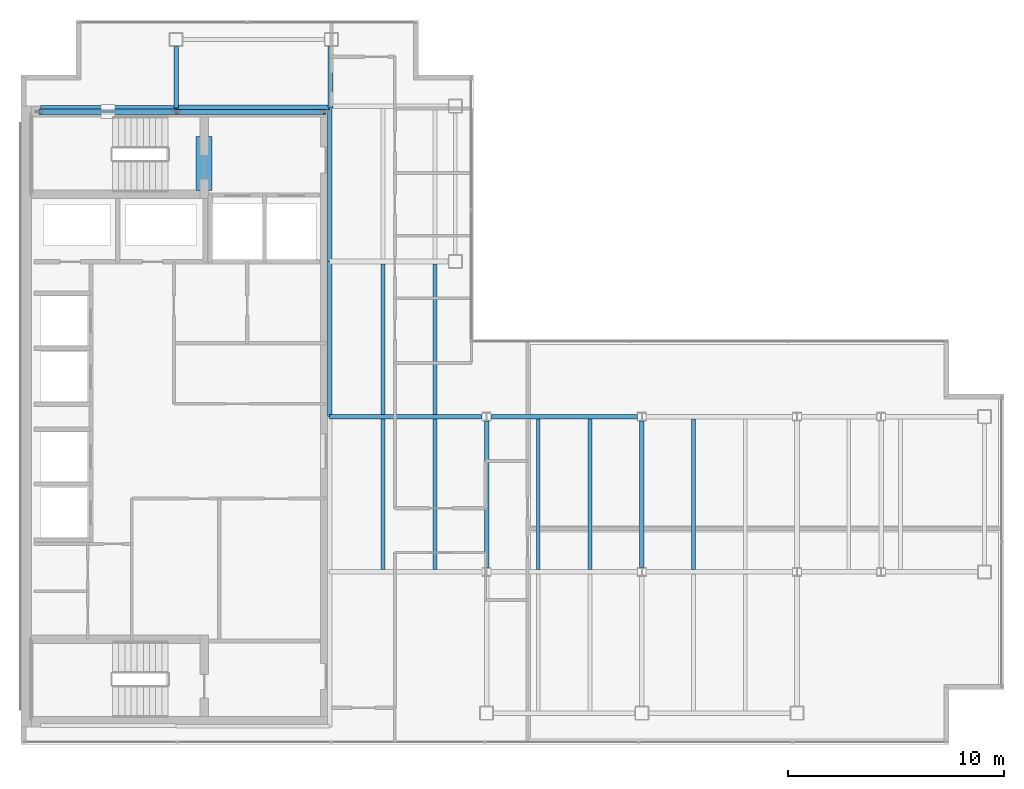
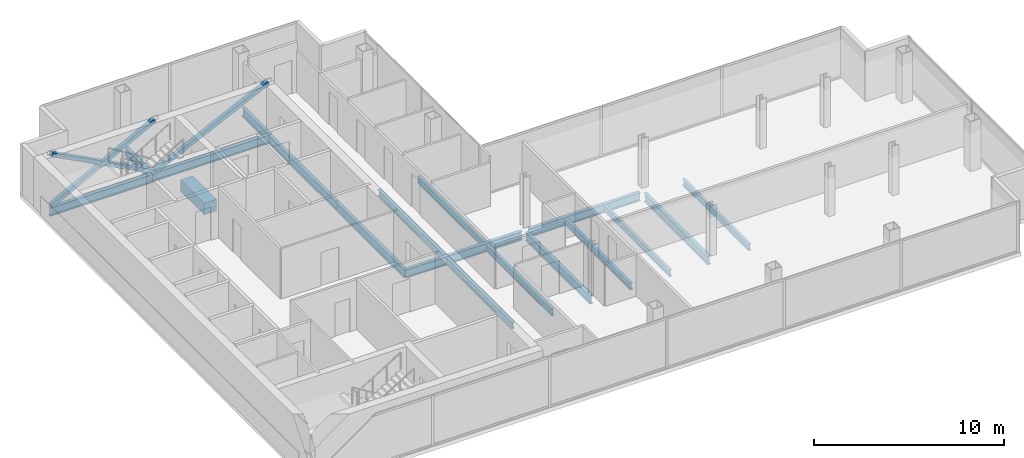
# One storey, part 7 of 23: 18 beams, 4 members.
"""IFC4 building model written with IfcOpenShell, lengths in metres."""

import ifcopenshell
import ifcopenshell.guid

model = None  # the IFC model being written
_history = None  # IfcOwnerHistory: only IFC2X3 demands one
_inside = {}  # id of a spatial element -> (the spatial element, [elements in it])
_under = {}  # id of a project, library or spatial element -> (it, [spatial elements below it])
_declared = {}  # id of a project -> (the project, [libraries it declares])
_typed = {}  # id of a type object -> (the type object, [elements of that type])
_made_of = {}  # id of a material, layer set ... -> (it, [elements and type objects made of it])


def new_model(schema):
    """Start an empty IFC model of exactly this schema.

    Asked for "IFC4X3", IfcOpenShell would pick the latest addendum, in which some entities
    have other attributes; the version numbers below select the first issue.
    IFC2X3 requires an IfcOwnerHistory on every rooted entity: one is made here for all.
    """
    global model, _history
    if schema == "IFC4X3":
        model = ifcopenshell.file(schema_version=(4, 3, 0, 0))
    else:
        model = ifcopenshell.file(schema=schema)
    _inside.clear()
    _under.clear()
    _declared.clear()
    _typed.clear()
    _made_of.clear()
    _history = None
    if model.schema == "IFC2X3":
        org = make("IfcOrganization", Name="unknown")
        user = make(
            "IfcPersonAndOrganization",
            ThePerson=make("IfcPerson", FamilyName="unknown"),
            TheOrganization=org,
        )
        app = make(
            "IfcApplication",
            ApplicationDeveloper=org,
            Version="unknown",
            ApplicationFullName="unknown",
            ApplicationIdentifier="unknown",
        )
        _history = make(
            "IfcOwnerHistory",
            OwningUser=user,
            OwningApplication=app,
            ChangeAction="ADDED",
            CreationDate=0,
        )
    return model


def make(cls, **values):
    """One entity of the class cls with the attributes given. An attribute that is None is left unset."""
    return model.create_entity(
        cls, **{name: value for name, value in values.items() if value is not None}
    )


def rooted(cls, **values):
    """An entity with a GlobalId (a new one), such as an element, a storey or a relation."""
    return make(cls, GlobalId=ifcopenshell.guid.new(), OwnerHistory=_history, **values)


def si_unit(unit_type, name, prefix=None):
    """IfcSIUnit, for example si_unit("LENGTHUNIT", "METRE", prefix="MILLI")."""
    return make("IfcSIUnit", UnitType=unit_type, Prefix=prefix, Name=name)


def assignment(units):
    """IfcUnitAssignment: the units of a project."""
    return None if units is None else make("IfcUnitAssignment", Units=units)


def point(xyz):
    """IfcCartesianPoint."""
    return None if xyz is None else make("IfcCartesianPoint", Coordinates=xyz)


def direction(xyz):
    """IfcDirection."""
    return None if xyz is None else make("IfcDirection", DirectionRatios=xyz)


def frame(location, z_axis=None, x_axis=None):
    """IfcAxis2Placement3D, a coordinate frame: its origin and axes. An axis left out is left unset."""
    return make(
        "IfcAxis2Placement3D",
        Location=point(location),
        Axis=direction(z_axis),
        RefDirection=direction(x_axis),
    )


def frame_2d(location, x_axis=None):
    """IfcAxis2Placement2D, a coordinate frame in the plane: its origin and x axis."""
    return make(
        "IfcAxis2Placement2D", Location=point(location), RefDirection=direction(x_axis)
    )


def origin():
    """The frame at (0, 0, 0) with its axes left unset."""
    return frame((0.0, 0.0, 0.0))


def origin_2d():
    """The frame at (0, 0) in the plane with its x axis left unset."""
    return frame_2d((0.0, 0.0))


def place(relative_to, where):
    """IfcLocalPlacement: puts the frame where relative to a parent placement (None: the world)."""
    return make(
        "IfcLocalPlacement", PlacementRelTo=relative_to, RelativePlacement=where
    )


def context(
    kind, dimensions, precision=None, world=None, true_north=None, identifier=None
):
    """IfcGeometricRepresentationContext, for example the 3D "Model" context."""
    return make(
        "IfcGeometricRepresentationContext",
        ContextIdentifier=identifier,
        ContextType=kind,
        CoordinateSpaceDimension=dimensions,
        Precision=precision,
        WorldCoordinateSystem=world,
        TrueNorth=true_north,
    )


def subcontext(parent, identifier, kind, view, scale=None):
    """IfcGeometricRepresentationSubContext, for example "Body" below "Model"."""
    return make(
        "IfcGeometricRepresentationSubContext",
        ContextIdentifier=identifier,
        ContextType=kind,
        ParentContext=parent,
        TargetScale=scale,
        TargetView=view,
    )


def project(units=None, contexts=None):
    """IfcProject with its units and contexts."""
    return rooted(
        "IfcProject",
        Name="project",
        RepresentationContexts=contexts,
        UnitsInContext=assignment(units),
    )


def spatial(cls, under=None, at=None, **own):
    """A site, building, storey or space (cls), placed at a placement, below another one or the project."""
    s = rooted(cls, ObjectPlacement=at, **own)
    if under is not None:
        _under.setdefault(under.id(), (under, []))[1].append(s)
    return s


def profile(cls, at=None, kind="AREA", **sizes):
    """A parametric profile (cls). Its sizes go by their IFC names, for example OverallWidth=200.0."""
    return make(cls, ProfileType=kind, Position=at, **sizes)


def rectangle(**sizes):
    """IfcRectangleProfileDef."""
    return profile("IfcRectangleProfileDef", **sizes)


def hollow_rectangle(**sizes):
    """IfcRectangleHollowProfileDef."""
    return profile("IfcRectangleHollowProfileDef", **sizes)


def i_section(**sizes):
    """IfcIShapeProfileDef."""
    return profile("IfcIShapeProfileDef", **sizes)


def extrude(swept, where, along, depth):
    """IfcExtrudedAreaSolid: the profile swept, set in the frame where, extruded along a direction by depth."""
    return make(
        "IfcExtrudedAreaSolid",
        SweptArea=swept,
        Position=where,
        ExtrudedDirection=direction(along),
        Depth=depth,
    )


def shape(context_of_items, identifier, shape_type, items):
    """IfcShapeRepresentation: the items that make up one representation, for example the "Body"."""
    return make(
        "IfcShapeRepresentation",
        ContextOfItems=context_of_items,
        RepresentationIdentifier=identifier,
        RepresentationType=shape_type,
        Items=items,
    )


def material(Name=None, Category=None):
    """IfcMaterial."""
    return make("IfcMaterial", Name=Name, Category=Category)


def material_profile(
    of_material, cross_section, Name=None, Category=None, Priority=None
):
    """IfcMaterialProfile: a cross section and its material."""
    return make(
        "IfcMaterialProfile",
        Name=Name,
        Material=of_material,
        Profile=cross_section,
        Priority=Priority,
        Category=Category,
    )


def profile_set(profiles, Name=None, composite=None):
    """IfcMaterialProfileSet."""
    return make(
        "IfcMaterialProfileSet",
        Name=Name,
        MaterialProfiles=profiles,
        CompositeProfile=composite,
    )


def made_of(thing, what):
    """Note that an element or type object is made of a material, layer set ...; save() writes the relation."""
    if what is not None:
        _made_of.setdefault(what.id(), (what, []))[1].append(thing)
    return thing


def type_object(cls, material=None, **own):
    """A type object (cls), such as IfcWallType, which elements share."""
    return made_of(rooted(cls, **own), material)


def element(
    cls,
    number,
    at=None,
    inside=None,
    cuts=None,
    type_object=None,
    material=None,
    context=None,
    identifier="Body",
    shape_type=None,
    held_by="IfcProductDefinitionShape",
    body=None,
    shapes=None,
    **own,
):
    """One element of the class cls, such as IfcWall. Its Tag is "e" and its number.

    at: its placement. inside: the storey or other place that contains it. cuts: it is an
    opening in that element (IfcRelVoidsElement). A single representation is given by context,
    identifier, shape_type and body (its items); several are given by shapes. held_by: the class
    of the entity that holds the representations. save() writes the other relations.
    """
    e = rooted(cls, Tag="e%d" % number, ObjectPlacement=at, **own)
    if body is not None:
        shapes = [shape(context, identifier, shape_type, body)]
    if shapes is not None:
        e.Representation = make(held_by, Representations=shapes)
    if inside is not None:
        _inside.setdefault(inside.id(), (inside, []))[1].append(e)
    if cuts is not None:
        rooted(
            "IfcRelVoidsElement", RelatingBuildingElement=cuts, RelatedOpeningElement=e
        )
    if type_object is not None:
        _typed.setdefault(type_object.id(), (type_object, []))[1].append(e)
    return made_of(e, material)


def aggregate(whole, parts):
    """IfcRelAggregates: a whole, such as a stair, and the parts it consists of."""
    return rooted("IfcRelAggregates", RelatingObject=whole, RelatedObjects=parts)


def save(model, path):
    """Write the relations noted so far, then the file.

    IfcRelAggregates (storeys below a building ...), IfcRelContainedInSpatialStructure (elements
    in a storey), IfcRelDefinesByType, IfcRelAssociatesMaterial and IfcRelDeclares: one each for
    every whole, place, type object, material and project.
    """
    for whole, parts in _under.values():
        aggregate(whole, parts)
    for where, things in _inside.values():
        rooted(
            "IfcRelContainedInSpatialStructure",
            RelatedElements=things,
            RelatingStructure=where,
        )
    for kind, things in _typed.values():
        rooted("IfcRelDefinesByType", RelatedObjects=things, RelatingType=kind)
    for what, things in _made_of.values():
        rooted("IfcRelAssociatesMaterial", RelatedObjects=things, RelatingMaterial=what)
    for by, libraries in _declared.values():
        rooted("IfcRelDeclares", RelatingContext=by, RelatedDefinitions=libraries)
    model.write(path)


model = new_model("IFC4")

# Units and contexts
model_context = context("Model", 3, precision=1e-05, world=origin(), true_north=direction((0.0, 1.0)))
body_context = subcontext(model_context, "Body", "Model", "MODEL_VIEW")
ifc_project = project(units=[si_unit("LENGTHUNIT", "METRE"), si_unit("AREAUNIT", "SQUARE_METRE"), si_unit("VOLUMEUNIT", "CUBIC_METRE"), si_unit("PLANEANGLEUNIT", "RADIAN"), si_unit("MASSUNIT", "GRAM", prefix="KILO")], contexts=[model_context])

# Site, building, storey
site_placement = place(None, origin())
site = spatial("IfcSite", under=ifc_project, at=site_placement, CompositionType="ELEMENT")
building_placement = place(site_placement, origin())
building = spatial("IfcBuilding", under=site, at=building_placement, Name="Cobrela Telecom Tower", CompositionType="ELEMENT")
storey_placement = place(building_placement, frame((0.0, 0.0, 251.64990234375)))
storey = spatial("IfcBuildingStorey", under=building, at=storey_placement, Name="L65", CompositionType="ELEMENT", Elevation=251.64990234375)

# Beams
ifc_material_1 = material(Name="Concrete C40/50", Category="concrete")
ifc_material_profile_1 = material_profile(ifc_material_1, rectangle(XDim=0.75, YDim=0.75, at=origin_2d()), Name="RC 750x750")
ifc_profile_set_1 = profile_set([ifc_material_profile_1], Name="Concrete C40/50")
beam_type_1 = type_object("IfcBeamType", Name="BM-COUP-RC", PredefinedType="LINTEL", material=ifc_profile_set_1)
beam_1_placement = place(storey_placement, frame((8.5, 32.10009765625, -0.60986328125), z_axis=(0.0, 1.0, 0.0), x_axis=(-1.0, 0.0, 0.0)))
element("IfcBeam", 1, at=beam_1_placement, inside=storey, type_object=beam_type_1, Name="L65 Core Coupling Lintel Beam", PredefinedType="LINTEL", context=body_context, shape_type="SweptSolid", body=[
    extrude(rectangle(XDim=0.75, YDim=0.75, at=origin_2d()), origin(), (0.0, 0.0, 1.0), 2.5),
])
ifc_material_2 = material(Name="Steel ASTM A992 Grade 50", Category="steel")
ifc_material_profile_2 = material_profile(ifc_material_2, i_section(OverallWidth=0.212890625, OverallDepth=0.549072265625, WebThickness=0.0146484375, FlangeThickness=0.023681640625, FilletRadius=0.013916015625, at=origin_2d()), Name="W21X93")
ifc_profile_set_2 = profile_set([ifc_material_profile_2], Name="Steel ASTM A992 Grade 50")
beam_type_2 = type_object("IfcBeamType", Name="BM-GIRD-08", PredefinedType="USERDEFINED", material=ifc_profile_set_2)
beam_2_placement = place(storey_placement, frame((14.324951171875, 21.60009765625, -0.534423828125), z_axis=(1.0, 0.0, 0.0), x_axis=(0.0, 1.0, 0.0)))
element("IfcBeam", 2, at=beam_2_placement, inside=storey, type_object=beam_type_2, Name="L65 Primary Girder X10", ObjectType="GIRDER", PredefinedType="USERDEFINED", context=body_context, shape_type="SweptSolid", body=[
    extrude(i_section(OverallWidth=0.212890625, OverallDepth=0.549072265625, WebThickness=0.0146484375, FlangeThickness=0.023681640625, FilletRadius=0.013916015625, at=origin_2d()), origin(), (0.0, 0.0, 1.0), 7.070556640625),
])
beam_3_placement = place(storey_placement, frame((21.804443359375, 21.60009765625, -0.534423828125), z_axis=(1.0, 0.0, 0.0), x_axis=(0.0, 1.0, 0.0)))
element("IfcBeam", 3, at=beam_3_placement, inside=storey, type_object=beam_type_2, Name="L65 Primary Girder X11", ObjectType="GIRDER", PredefinedType="USERDEFINED", context=body_context, shape_type="SweptSolid", body=[
    extrude(i_section(OverallWidth=0.212890625, OverallDepth=0.549072265625, WebThickness=0.0146484375, FlangeThickness=0.023681640625, FilletRadius=0.013916015625, at=origin_2d()), origin(), (0.0, 0.0, 1.0), 6.791015625),
])
beam_4_placement = place(storey_placement, frame((0.905029296875, 35.919921875, -0.534423828125), z_axis=(1.0, 0.0, 0.0), x_axis=(0.0, 1.0, 0.0)))
element("IfcBeam", 4, at=beam_4_placement, inside=storey, type_object=beam_type_2, Name="L65 Primary Girder X16", ObjectType="GIRDER", PredefinedType="USERDEFINED", context=body_context, shape_type="SweptSolid", body=[
    extrude(i_section(OverallWidth=0.212890625, OverallDepth=0.549072265625, WebThickness=0.0146484375, FlangeThickness=0.023681640625, FilletRadius=0.013916015625, at=origin_2d()), origin(), (0.0, 0.0, 1.0), 6.2900390625),
])
beam_5_placement = place(storey_placement, frame((7.205078125, 35.9599609375, -0.534423828125), z_axis=(1.0, 0.0, 0.0), x_axis=(0.0, 1.0, 0.0)))
element("IfcBeam", 5, at=beam_5_placement, inside=storey, type_object=beam_type_2, Name="L65 Primary Girder X17", ObjectType="GIRDER", PredefinedType="USERDEFINED", context=body_context, shape_type="SweptSolid", body=[
    extrude(i_section(OverallWidth=0.212890625, OverallDepth=0.549072265625, WebThickness=0.0146484375, FlangeThickness=0.023681640625, FilletRadius=0.013916015625, at=origin_2d()), origin(), (0.0, 0.0, 1.0), 7.10986328125),
])
beam_6_placement = place(storey_placement, frame((7.199951171875, 35.925048828125, -0.534423828125), z_axis=(0.0, 1.0, 0.0), x_axis=(-1.0, 0.0, 0.0)))
element("IfcBeam", 6, at=beam_6_placement, inside=storey, type_object=beam_type_2, Name="L65 Primary Girder Y20", ObjectType="GIRDER", PredefinedType="USERDEFINED", context=body_context, shape_type="SweptSolid", body=[
    extrude(i_section(OverallWidth=0.212890625, OverallDepth=0.549072265625, WebThickness=0.0146484375, FlangeThickness=0.023681640625, FilletRadius=0.013916015625, at=origin_2d()), origin(), (0.0, 0.0, 1.0), 2.844970703125),
])
beam_7_placement = place(storey_placement, frame((14.320068359375, 21.60498046875, -0.534423828125), z_axis=(0.0, 1.0, 0.0), x_axis=(-1.0, 0.0, 0.0)))
element("IfcBeam", 7, at=beam_7_placement, inside=storey, type_object=beam_type_2, Name="L65 Primary Girder Y23", ObjectType="GIRDER", PredefinedType="USERDEFINED", context=body_context, shape_type="SweptSolid", body=[
    extrude(i_section(OverallWidth=0.212890625, OverallDepth=0.549072265625, WebThickness=0.0146484375, FlangeThickness=0.023681640625, FilletRadius=0.013916015625, at=origin_2d()), origin(), (0.0, 0.0, 1.0), 7.18994140625),
])
beam_8_placement = place(storey_placement, frame((14.320068359375, 28.804931640625, -0.534423828125), z_axis=(0.0, 1.0, 0.0), x_axis=(-1.0, 0.0, 0.0)))
element("IfcBeam", 8, at=beam_8_placement, inside=storey, type_object=beam_type_2, Name="L65 Primary Girder Y24", ObjectType="GIRDER", PredefinedType="USERDEFINED", context=body_context, shape_type="SweptSolid", body=[
    extrude(i_section(OverallWidth=0.212890625, OverallDepth=0.549072265625, WebThickness=0.0146484375, FlangeThickness=0.023681640625, FilletRadius=0.013916015625, at=origin_2d()), origin(), (0.0, 0.0, 1.0), 7.110107421875),
])
beam_9_placement = place(storey_placement, frame((14.360107421875, 35.925048828125, -0.534423828125), z_axis=(0.0, 1.0, 0.0), x_axis=(-1.0, 0.0, 0.0)))
element("IfcBeam", 9, at=beam_9_placement, inside=storey, type_object=beam_type_2, Name="L65 Primary Girder Y25", ObjectType="GIRDER", PredefinedType="USERDEFINED", context=body_context, shape_type="SweptSolid", body=[
    extrude(i_section(OverallWidth=0.212890625, OverallDepth=0.549072265625, WebThickness=0.0146484375, FlangeThickness=0.023681640625, FilletRadius=0.013916015625, at=origin_2d()), origin(), (0.0, 0.0, 1.0), 2.844970703125),
])
for number, where, z_axis, x_axis, name in (
    (10, (21.60009765625, 14.6044921875, -0.534423828125), (0.0, 1.0, 0.0), (-1.0, 0.0, 0.0), "L65 Primary Girder Y28"),
    (11, (28.800048828125, 14.6044921875, -0.534423828125), (0.0, 1.0, 0.0), (-1.0, 0.0, 0.0), "L65 Primary Girder Y30"),
):
    element("IfcBeam", number, at=place(storey_placement, frame(where, z_axis=z_axis, x_axis=x_axis)), inside=storey, type_object=beam_type_2, Name=name, ObjectType="GIRDER", PredefinedType="USERDEFINED", context=body_context, shape_type="SweptSolid", body=[
        extrude(i_section(OverallWidth=0.212890625, OverallDepth=0.549072265625, WebThickness=0.0146484375, FlangeThickness=0.023681640625, FilletRadius=0.013916015625, at=origin_2d()), origin(), (0.0, 0.0, 1.0), 6.791015625),
    ])
ifc_material_profile_3 = material_profile(ifc_material_2, i_section(OverallWidth=0.179931640625, OverallDepth=0.4169921875, WebThickness=0.010986328125, FlangeThickness=0.01806640625, FilletRadius=0.011962890625, at=origin_2d()), Name="W16X57")
ifc_profile_set_3 = profile_set([ifc_material_profile_3], Name="Steel ASTM A992 Grade 50")
beam_type_3 = type_object("IfcBeamType", Name="BM-JOIST-04", PredefinedType="JOIST", material=ifc_profile_set_3)
for number, where, z_axis, x_axis, name in (
    (12, (16.800048828125, 14.511474609375, -0.468505859375), (0.0, 1.0, 0.0), (-1.0, 0.0, 0.0), "L65 Secondary Composite Floor Beam J01"),
    (13, (16.800048828125, 21.71142578125, -0.468505859375), (0.0, 1.0, 0.0), (-1.0, 0.0, 0.0), "L65 Secondary Composite Floor Beam J02"),
    (14, (19.199951171875, 14.511474609375, -0.468505859375), (0.0, 1.0, 0.0), (-1.0, 0.0, 0.0), "L65 Secondary Composite Floor Beam J04"),
    (15, (19.199951171875, 21.71142578125, -0.468505859375), (0.0, 1.0, 0.0), (-1.0, 0.0, 0.0), "L65 Secondary Composite Floor Beam J05"),
    (16, (24.0, 14.511474609375, -0.468505859375), (0.0, 1.0, 0.0), (-1.0, 0.0, 0.0), "L65 Secondary Composite Floor Beam J08"),
    (17, (26.39990234375, 14.511474609375, -0.468505859375), (0.0, 1.0, 0.0), (-1.0, 0.0, 0.0), "L65 Secondary Composite Floor Beam J10"),
    (18, (31.199951171875, 14.511474609375, -0.468505859375), (0.0, 1.0, 0.0), (-1.0, 0.0, 0.0), "L65 Secondary Composite Floor Beam J12"),
):
    element("IfcBeam", number, at=place(storey_placement, frame(where, z_axis=z_axis, x_axis=x_axis)), inside=storey, type_object=beam_type_3, Name=name, PredefinedType="JOIST", context=body_context, shape_type="SweptSolid", body=[
        extrude(i_section(OverallWidth=0.179931640625, OverallDepth=0.4169921875, WebThickness=0.010986328125, FlangeThickness=0.01806640625, FilletRadius=0.011962890625, at=origin_2d()), origin(), (0.0, 0.0, 1.0), 6.97705078125),
    ])

# Members
ifc_material_3 = material(Name="Steel ASTM A572 Grade 50", Category="steel")
ifc_material_profile_4 = material_profile(ifc_material_3, hollow_rectangle(XDim=0.25, YDim=0.25, WallThickness=0.013916015625, at=origin_2d()), Name="HSS 250x250x14")
ifc_profile_set_4 = profile_set([ifc_material_profile_4], Name="Steel ASTM A572 Grade 50")
member_type = type_object("IfcMemberType", Name="MBR-EXO-04", PredefinedType="BRACE", material=ifc_profile_set_4)
member_1_placement = place(storey_placement, frame((0.89990234375, 35.75, -0.039794921875), z_axis=(0.884686085315, 0.0, 0.466187226821), x_axis=(0.0, 1.0, 0.0)))
element("IfcMember", 19, at=member_1_placement, inside=storey, type_object=member_type, Name="L65 Core Flange Steel X-Brace Continuous A", PredefinedType="BRACE", context=body_context, shape_type="SweptSolid", body=[
    extrude(hollow_rectangle(XDim=0.25, YDim=0.25, WallThickness=0.013916015625, at=origin_2d()), origin(), (0.0, 0.0, 1.0), 7.121337890625),
])
member_2_placement = place(storey_placement, frame((7.199951171875, 35.75, -0.039794921875), z_axis=(-0.884702916743, 0.0, 0.466155284328), x_axis=(0.0, -1.0, 0.0)))
element("IfcMember", 20, at=member_2_placement, inside=storey, type_object=member_type, Name="L65 Core Flange Steel X-Brace Split B1", PredefinedType="BRACE", context=body_context, shape_type="SweptSolid", body=[
    extrude(hollow_rectangle(XDim=0.25, YDim=0.25, WallThickness=0.013916015625, at=origin_2d()), origin(), (0.0, 0.0, 1.0), 3.42041015625),
])
member_3_placement = place(storey_placement, frame((3.926025390625, 35.75, 1.685302734375), z_axis=(-0.884673479945, 0.0, 0.466211147317), x_axis=(0.0, -1.0, 0.0)))
element("IfcMember", 21, at=member_3_placement, inside=storey, type_object=member_type, Name="L65 Core Flange Steel X-Brace Split B2", PredefinedType="BRACE", context=body_context, shape_type="SweptSolid", body=[
    extrude(hollow_rectangle(XDim=0.25, YDim=0.25, WallThickness=0.013916015625, at=origin_2d()), origin(), (0.0, 0.0, 1.0), 3.420654296875),
])
member_4_placement = place(storey_placement, frame((7.199951171875, 35.75, -0.039794921875), z_axis=(0.901127639633, 0.0, 0.433553891793), x_axis=(0.0, 1.0, 0.0)))
element("IfcMember", 22, at=member_4_placement, inside=storey, type_object=member_type, Name="L65 Core Flange Steel Brace N2", PredefinedType="BRACE", context=body_context, shape_type="SweptSolid", body=[
    extrude(hollow_rectangle(XDim=0.25, YDim=0.25, WallThickness=0.013916015625, at=origin_2d()), origin(), (0.0, 0.0, 1.0), 7.6572265625),
])

save(model, "model.ifc")
